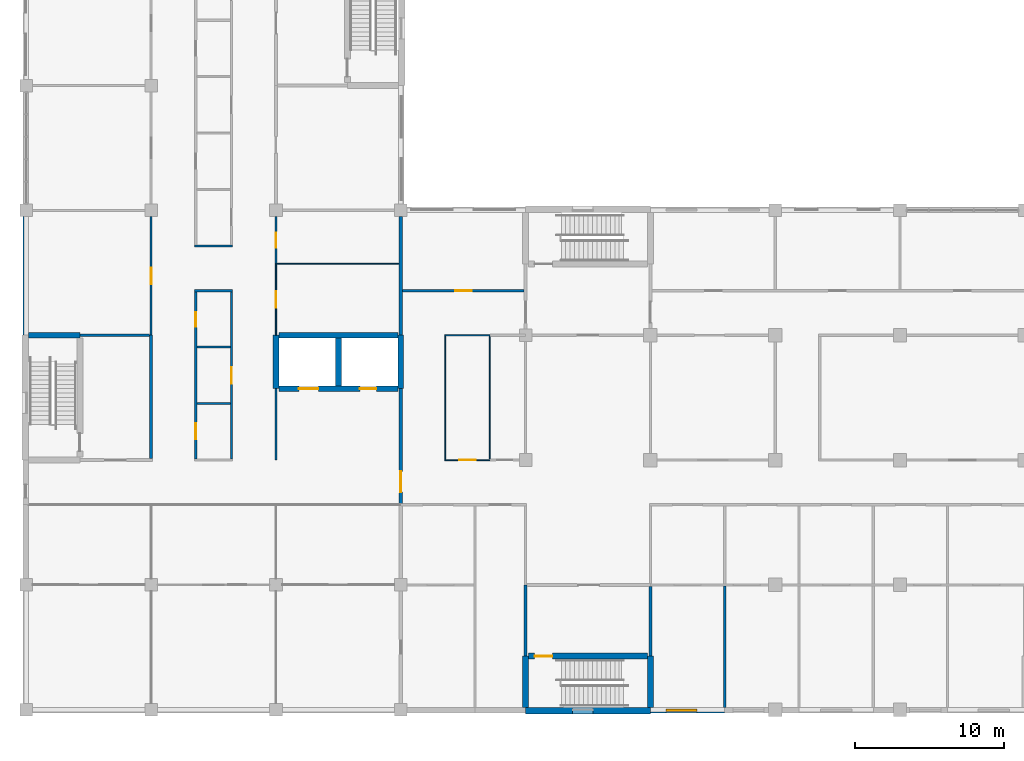
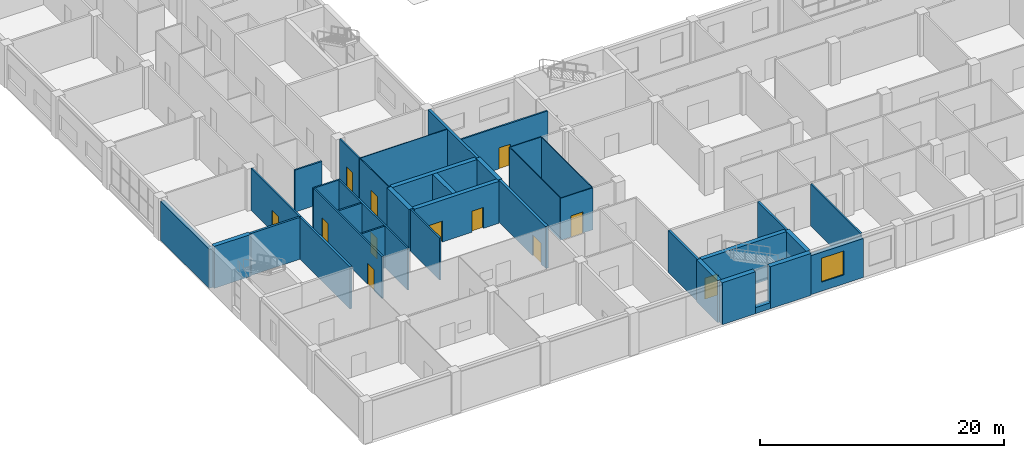
# One storey, part 33 of 66: 37 walls, 12 doors, 1 window, 13 openings.
"""IFC4 building model written with IfcOpenShell, lengths in metres."""

from ifc_helpers import new_model, si_unit, direction, frame, frame_2d, origin, place, context, subcontext, project, spatial, rectangle, extrude, material, layer, layer_set, type_object, element, fill, save


model = new_model("IFC4")

# Units and contexts
model_context = context("Model", 3, precision=1e-05, world=origin(), true_north=direction((0.0, 1.0)))
body_context = subcontext(model_context, "Body", "Model", "MODEL_VIEW")
ifc_project = project(units=[si_unit("LENGTHUNIT", "METRE"), si_unit("AREAUNIT", "SQUARE_METRE"), si_unit("VOLUMEUNIT", "CUBIC_METRE"), si_unit("PLANEANGLEUNIT", "RADIAN"), si_unit("MASSUNIT", "GRAM", prefix="KILO")], contexts=[model_context])

# Site, building, storey
site_placement = place(None, origin())
site = spatial("IfcSite", under=ifc_project, at=site_placement, CompositionType="ELEMENT")
building_placement = place(site_placement, origin())
building = spatial("IfcBuilding", under=site, at=building_placement, Name="Yavir Park General Hospital", CompositionType="ELEMENT")
storey_placement = place(building_placement, frame((0.0, 0.0, 8.39990234375)))
storey = spatial("IfcBuildingStorey", under=building, at=storey_placement, Name="L02", CompositionType="ELEMENT", Elevation=8.39990234375)

# Wall, opening, door
ifc_material_1 = material(Name="Concrete C30/37", Category="concrete")
ifc_layer_1 = layer(ifc_material_1, 0.25)
ifc_layer_set_1 = layer_set([ifc_layer_1], Name="Concrete C30/37")
wall_type_1 = type_object("IfcWallType", Name="Compartment fire wall 250, REI 150", PredefinedType="SOLIDWALL", material=ifc_layer_set_1)
wall_1_placement = place(storey_placement, frame((25.199951171875, 13.875, 0.0), z_axis=(0.0, 0.0, 1.0), x_axis=(0.0, 1.0, 0.0)))
wall_1 = element("IfcWall", 1, at=wall_1_placement, inside=storey, type_object=wall_type_1, Name="FW25 L02-218", PredefinedType="SOLIDWALL", context=body_context, shape_type="SweptSolid", body=[
    extrude(rectangle(XDim=7.72509765625, YDim=0.25, at=frame_2d((3.862548828125, 0.0))), origin(), (0.0, 0.0, 1.0), 4.2001953125),
])
opening_1_placement = place(wall_1_placement, frame((0.762451171875, 0.0, 0.0)))
opening_1 = element("IfcOpeningElement", 2, at=opening_1_placement, cuts=wall_1, Name="Opening L02.D175", PredefinedType="OPENING", context=body_context, shape_type="SweptSolid", body=[
    extrude(rectangle(XDim=1.39990234375, YDim=2.10009765625, at=frame_2d((0.699951171875, 1.050048828125))), frame((0.0, 0.135009765625, 0.0), z_axis=(0.0, -1.0, 0.0), x_axis=(1.0, 0.0, 0.0)), (0.0, 0.0, 1.0), 0.27001953125),
])
ifc_material_2 = material(Name="Steel frame, fire-resisting leaves with vision panels", Category="steel")
door_type_1 = type_object("IfcDoorType", Name="Double fire door with vision panels 1400 x 2100, EI 60", OperationType="DOUBLE_DOOR_SINGLE_SWING", PredefinedType="DOOR", material=ifc_material_2)
door_1_placement = place(opening_1_placement, origin())
door_1 = element("IfcDoor", 3, at=door_1_placement, inside=storey, type_object=door_type_1, Name="L02.D175", OperationType="SINGLE_SWING_LEFT", OverallHeight=2.10009765625, OverallWidth=1.39990234375, PredefinedType="DOOR", context=body_context, shape_type="SweptSolid", body=[
    extrude(rectangle(XDim=1.39990234375, YDim=2.10009765625, at=frame_2d((0.699951171875, 1.050048828125))), frame((0.0, 0.030029296875, 0.0), z_axis=(0.0, -1.0, 0.0), x_axis=(1.0, 0.0, 0.0)), (0.0, 0.0, 1.0), 0.06005859375),
])
fill(opening_1, door_1)

# Wall
wall_2_placement = place(storey_placement, frame((25.199951171875, 25.199951171875, 0.0), z_axis=(0.0, 0.0, 1.0), x_axis=(0.0, 1.0, 0.0)))
element("IfcWall", 4, at=wall_2_placement, inside=storey, type_object=wall_type_1, Name="FW25 L02-220", PredefinedType="SOLIDWALL", context=body_context, shape_type="SweptSolid", body=[
    extrude(rectangle(XDim=7.97509765625, YDim=0.25, at=frame_2d((3.987548828125, 0.0))), origin(), (0.0, 0.0, 1.0), 4.2001953125),
])

# Wall, opening, door
ifc_material_3 = material(Name="Laminate-faced cubicle partition")
ifc_layer_2 = layer(ifc_material_3, 0.074951171875)
ifc_layer_set_2 = layer_set([ifc_layer_2], Name="Laminate-faced cubicle partition")
wall_type_2 = type_object("IfcWallType", Name="Cubicle partition 75", PredefinedType="PARTITIONING", material=ifc_layer_set_2)
wall_3_placement = place(storey_placement, frame((28.16259765625, 16.800048828125, 0.0), z_axis=(0.0, 0.0, 1.0), x_axis=(1.0, 0.0, 0.0)))
wall_3 = element("IfcWall", 5, at=wall_3_placement, inside=storey, type_object=wall_type_2, Name="CP75 L02-037", PredefinedType="PARTITIONING", context=body_context, shape_type="SweptSolid", body=[
    extrude(rectangle(XDim=3.037353515625, YDim=0.074951171875, at=frame_2d((1.5185546875, 0.0))), origin(), (0.0, 0.0, 1.0), 4.2001953125),
])
opening_2_placement = place(wall_3_placement, frame((0.987548828125, 0.0, 0.0)))
opening_2 = element("IfcOpeningElement", 6, at=opening_2_placement, cuts=wall_3, Name="Opening L02.D054", PredefinedType="OPENING", context=body_context, shape_type="SweptSolid", body=[
    extrude(rectangle(XDim=1.10009765625, YDim=2.10009765625, at=frame_2d((0.550048828125, 1.050048828125))), frame((0.0, 0.04736328125, 0.0), z_axis=(0.0, -1.0, 0.0), x_axis=(1.0, 0.0, 0.0)), (0.0, 0.0, 1.0), 0.094970703125),
])
ifc_material_4 = material(Name="Hollow metal frame, solid-core timber leaf", Category="wood")
door_type_2 = type_object("IfcDoorType", Name="Single swing door 1100 x 2100", OperationType="SINGLE_SWING_LEFT", PredefinedType="DOOR", material=ifc_material_4)
door_2_placement = place(opening_2_placement, origin())
door_2 = element("IfcDoor", 7, at=door_2_placement, inside=storey, type_object=door_type_2, Name="L02.D054", OperationType="SINGLE_SWING_RIGHT", OverallHeight=2.10009765625, OverallWidth=1.10009765625, PredefinedType="DOOR", context=body_context, shape_type="SweptSolid", body=[
    extrude(rectangle(XDim=1.10009765625, YDim=2.10009765625, at=frame_2d((0.550048828125, 1.050048828125))), frame((0.0, 0.02490234375, 0.0), z_axis=(0.0, -1.0, 0.0), x_axis=(1.0, 0.0, 0.0)), (0.0, 0.0, 1.0), 0.050048828125),
])
fill(opening_2, door_2)

# Walls
wall_4_placement = place(storey_placement, frame((28.16259765625, 25.199951171875, 0.0), z_axis=(0.0, 0.0, 1.0), x_axis=(1.0, 0.0, 0.0)))
element("IfcWall", 8, at=wall_4_placement, inside=storey, type_object=wall_type_2, Name="CP75 L02-057", PredefinedType="PARTITIONING", context=body_context, shape_type="SweptSolid", body=[
    extrude(rectangle(XDim=3.037353515625, YDim=0.074951171875, at=frame_2d((1.5185546875, 0.0))), origin(), (0.0, 0.0, 1.0), 4.2001953125),
])
wall_5_placement = place(storey_placement, frame((16.875, 30.0, 0.0), z_axis=(0.0, 0.0, 1.0), x_axis=(1.0, 0.0, 0.0)))
element("IfcWall", 9, at=wall_5_placement, inside=storey, type_object=wall_type_2, Name="CP75 L02-078", PredefinedType="PARTITIONING", context=body_context, shape_type="SweptSolid", body=[
    extrude(rectangle(XDim=8.199951171875, YDim=0.074951171875, at=frame_2d((4.10009765625, 0.0))), origin(), (0.0, 0.0, 1.0), 4.2001953125),
])

# Wall, opening, door
wall_6_placement = place(storey_placement, frame((16.800048828125, 25.199951171875, 0.0), z_axis=(0.0, 0.0, 1.0), x_axis=(0.0, 1.0, 0.0)))
wall_6 = element("IfcWall", 10, at=wall_6_placement, inside=storey, type_object=wall_type_2, Name="CP75 L02-196", PredefinedType="PARTITIONING", context=body_context, shape_type="SweptSolid", body=[
    extrude(rectangle(XDim=4.800048828125, YDim=0.074951171875, at=frame_2d((2.39990234375, 0.0))), origin(), (0.0, 0.0, 1.0), 4.2001953125),
])
opening_3_placement = place(wall_6_placement, frame((1.85009765625, 0.0, 0.0)))
opening_3 = element("IfcOpeningElement", 11, at=opening_3_placement, cuts=wall_6, Name="Opening L02.D154", PredefinedType="OPENING", context=body_context, shape_type="SweptSolid", body=[
    extrude(rectangle(XDim=1.10009765625, YDim=2.10009765625, at=frame_2d((0.550048828125, 1.050048828125))), frame((0.0, 0.04736328125, 0.0), z_axis=(0.0, -1.0, 0.0), x_axis=(1.0, 0.0, 0.0)), (0.0, 0.0, 1.0), 0.094970703125),
])
door_3_placement = place(opening_3_placement, origin())
door_3 = element("IfcDoor", 12, at=door_3_placement, inside=storey, type_object=door_type_2, Name="L02.D154", OperationType="SINGLE_SWING_LEFT", OverallHeight=2.10009765625, OverallWidth=1.10009765625, PredefinedType="DOOR", context=body_context, shape_type="SweptSolid", body=[
    extrude(rectangle(XDim=1.10009765625, YDim=2.10009765625, at=frame_2d((0.550048828125, 1.050048828125))), frame((0.0, 0.02490234375, 0.0), z_axis=(0.0, -1.0, 0.0), x_axis=(1.0, 0.0, 0.0)), (0.0, 0.0, 1.0), 0.050048828125),
])
fill(opening_3, door_3)

# Walls
wall_7_placement = place(storey_placement, frame((28.199951171875, 16.83740234375, 0.0), z_axis=(0.0, 0.0, 1.0), x_axis=(0.0, 1.0, 0.0)))
element("IfcWall", 13, at=wall_7_placement, inside=storey, type_object=wall_type_2, Name="CP75 L02-221", PredefinedType="PARTITIONING", context=body_context, shape_type="SweptSolid", body=[
    extrude(rectangle(XDim=8.3251953125, YDim=0.074951171875, at=frame_2d((4.16259765625, 0.0))), origin(), (0.0, 0.0, 1.0), 4.2001953125),
])
wall_8_placement = place(storey_placement, frame((31.199951171875, 16.875, 0.0), z_axis=(0.0, 0.0, 1.0), x_axis=(0.0, 1.0, 0.0)))
element("IfcWall", 14, at=wall_8_placement, inside=storey, type_object=wall_type_2, Name="CP75 L02-223", PredefinedType="PARTITIONING", context=body_context, shape_type="SweptSolid", body=[
    extrude(rectangle(XDim=8.25, YDim=0.074951171875, at=frame_2d((4.125, 0.0))), origin(), (0.0, 0.0, 1.0), 4.2001953125),
])
ifc_material_5 = material(Name="Double gypsum board fire partition on steel studs", Category="steel")
ifc_layer_3 = layer(ifc_material_5, 0.199951171875)
ifc_layer_set_3 = layer_set([ifc_layer_3], Name="Double gypsum board fire partition on steel studs")
wall_type_3 = type_object("IfcWallType", Name="Fire-rated partition 200, EI 60", PredefinedType="PARTITIONING", material=ifc_layer_set_3)
wall_9_placement = place(storey_placement, frame((3.60009765625, 25.199951171875, 0.0), z_axis=(0.0, 0.0, 1.0), x_axis=(1.0, 0.0, 0.0)))
element("IfcWall", 15, at=wall_9_placement, inside=storey, type_object=wall_type_3, Name="FP20 L02-055", PredefinedType="PARTITIONING", context=body_context, shape_type="SweptSolid", body=[
    extrude(rectangle(XDim=4.699951171875, YDim=0.199951171875, at=frame_2d((2.35009765625, 0.0))), origin(), (0.0, 0.0, 1.0), 4.2001953125),
])
wall_10_placement = place(storey_placement, frame((8.39990234375, 16.89990234375, 0.0), z_axis=(0.0, 0.0, 1.0), x_axis=(0.0, 1.0, 0.0)))
element("IfcWall", 16, at=wall_10_placement, inside=storey, type_object=wall_type_3, Name="FP20 L02-167", PredefinedType="PARTITIONING", context=body_context, shape_type="SweptSolid", body=[
    extrude(rectangle(XDim=8.300048828125, YDim=0.199951171875, at=frame_2d((4.14990234375, 0.0))), origin(), (0.0, 0.0, 1.0), 4.2001953125),
])
wall_11_placement = place(storey_placement, frame((33.60009765625, 3.60009765625, 0.0), z_axis=(0.0, 0.0, 1.0), x_axis=(0.0, 1.0, 0.0)))
element("IfcWall", 17, at=wall_11_placement, inside=storey, type_object=wall_type_3, Name="FP20 L02-225", PredefinedType="PARTITIONING", context=body_context, shape_type="SweptSolid", body=[
    extrude(rectangle(XDim=4.7998046875, YDim=0.199951171875, at=frame_2d((2.39990234375, 0.0))), origin(), (0.0, 0.0, 1.0), 4.2001953125),
])
wall_12_placement = place(storey_placement, frame((42.0, 3.60009765625, 0.0), z_axis=(0.0, 0.0, 1.0), x_axis=(0.0, 1.0, 0.0)))
element("IfcWall", 18, at=wall_12_placement, inside=storey, type_object=wall_type_3, Name="FP20 L02-231", PredefinedType="PARTITIONING", context=body_context, shape_type="SweptSolid", body=[
    extrude(rectangle(XDim=4.699951171875, YDim=0.199951171875, at=frame_2d((2.35009765625, 0.0))), origin(), (0.0, 0.0, 1.0), 4.2001953125),
])
ifc_material_6 = material(Name="Gypsum board partition on steel studs", Category="steel")
ifc_layer_4 = layer(ifc_material_6, 0.14990234375)
ifc_layer_set_4 = layer_set([ifc_layer_4], Name="Gypsum board partition on steel studs")
wall_type_4 = type_object("IfcWallType", Name="Gypsum board partition 150", PredefinedType="PARTITIONING", material=ifc_layer_set_4)
for number, where, z_axis, x_axis, name in (
    (19, (11.47509765625, 20.60009765625, 0.0), (0.0, 0.0, 1.0), (1.0, 0.0, 0.0), "P15 L02-049"),
    (20, (11.47509765625, 24.39990234375, 0.0), (0.0, 0.0, 1.0), (1.0, 0.0, 0.0), "P15 L02-053"),
):
    element("IfcWall", number, at=place(storey_placement, frame(where, z_axis=z_axis, x_axis=x_axis)), inside=storey, type_object=wall_type_4, Name=name, PredefinedType="PARTITIONING", context=body_context, shape_type="SweptSolid", body=[
        extrude(rectangle(XDim=2.25, YDim=0.14990234375, at=frame_2d((1.125, 0.0))), origin(), (0.0, 0.0, 1.0), 4.2001953125),
    ])
wall_13_placement = place(storey_placement, frame((11.324951171875, 28.199951171875, 0.0), z_axis=(0.0, 0.0, 1.0), x_axis=(1.0, 0.0, 0.0)))
element("IfcWall", 21, at=wall_13_placement, inside=storey, type_object=wall_type_4, Name="P15 L02-072", PredefinedType="PARTITIONING", context=body_context, shape_type="SweptSolid", body=[
    extrude(rectangle(XDim=2.550048828125, YDim=0.14990234375, at=frame_2d((1.27490234375, 0.0))), origin(), (0.0, 0.0, 1.0), 4.2001953125),
])

# Wall, opening, door
wall_14_placement = place(storey_placement, frame((25.324951171875, 28.199951171875, 0.0), z_axis=(0.0, 0.0, 1.0), x_axis=(1.0, 0.0, 0.0)))
wall_14 = element("IfcWall", 22, at=wall_14_placement, inside=storey, type_object=wall_type_4, Name="P15 L02-073", PredefinedType="PARTITIONING", context=body_context, shape_type="SweptSolid", body=[
    extrude(rectangle(XDim=8.175048828125, YDim=0.14990234375, at=frame_2d((4.08740234375, 0.0))), origin(), (0.0, 0.0, 1.0), 4.2001953125),
])
opening_4_placement = place(wall_14_placement, frame((3.53759765625, 0.0, 0.0)))
opening_4 = element("IfcOpeningElement", 23, at=opening_4_placement, cuts=wall_14, Name="Opening L02.D080", PredefinedType="OPENING", context=body_context, shape_type="SweptSolid", body=[
    extrude(rectangle(XDim=1.10009765625, YDim=2.10009765625, at=frame_2d((0.550048828125, 1.050048828125))), frame((0.0, 0.0849609375, 0.0), z_axis=(0.0, -1.0, 0.0), x_axis=(1.0, 0.0, 0.0)), (0.0, 0.0, 1.0), 0.169921875),
])
door_4_placement = place(opening_4_placement, origin())
door_4 = element("IfcDoor", 24, at=door_4_placement, inside=storey, type_object=door_type_2, Name="L02.D080", OperationType="SINGLE_SWING_RIGHT", OverallHeight=2.10009765625, OverallWidth=1.10009765625, PredefinedType="DOOR", context=body_context, shape_type="SweptSolid", body=[
    extrude(rectangle(XDim=1.10009765625, YDim=2.10009765625, at=frame_2d((0.550048828125, 1.050048828125))), frame((0.0, 0.02490234375, 0.0), z_axis=(0.0, -1.0, 0.0), x_axis=(1.0, 0.0, 0.0)), (0.0, 0.0, 1.0), 0.050048828125),
])
fill(opening_4, door_4)

# Wall
wall_15_placement = place(storey_placement, frame((11.324951171875, 31.199951171875, 0.0), z_axis=(0.0, 0.0, 1.0), x_axis=(1.0, 0.0, 0.0)))
element("IfcWall", 25, at=wall_15_placement, inside=storey, type_object=wall_type_4, Name="P15 L02-081", PredefinedType="PARTITIONING", context=body_context, shape_type="SweptSolid", body=[
    extrude(rectangle(XDim=2.550048828125, YDim=0.14990234375, at=frame_2d((1.27490234375, 0.0))), origin(), (0.0, 0.0, 1.0), 4.2001953125),
])

# Wall, opening, door
wall_16_placement = place(storey_placement, frame((8.39990234375, 25.199951171875, 0.0), z_axis=(0.0, 0.0, 1.0), x_axis=(0.0, 1.0, 0.0)))
wall_16 = element("IfcWall", 26, at=wall_16_placement, inside=storey, type_object=wall_type_4, Name="P15 L02-168", PredefinedType="PARTITIONING", context=body_context, shape_type="SweptSolid", body=[
    extrude(rectangle(XDim=7.97509765625, YDim=0.14990234375, at=frame_2d((3.987548828125, 0.0))), origin(), (0.0, 0.0, 1.0), 4.2001953125),
])
opening_5_placement = place(wall_16_placement, frame((3.4375, 0.0, 0.0)))
opening_5 = element("IfcOpeningElement", 27, at=opening_5_placement, cuts=wall_16, Name="Opening L02.D118", PredefinedType="OPENING", context=body_context, shape_type="SweptSolid", body=[
    extrude(rectangle(XDim=1.10009765625, YDim=2.10009765625, at=frame_2d((0.550048828125, 1.050048828125))), frame((0.0, 0.0849609375, 0.0), z_axis=(0.0, -1.0, 0.0), x_axis=(1.0, 0.0, 0.0)), (0.0, 0.0, 1.0), 0.169921875),
])
door_5_placement = place(opening_5_placement, origin())
door_5 = element("IfcDoor", 28, at=door_5_placement, inside=storey, type_object=door_type_2, Name="L02.D118", OperationType="SINGLE_SWING_RIGHT", OverallHeight=2.10009765625, OverallWidth=1.10009765625, PredefinedType="DOOR", context=body_context, shape_type="SweptSolid", body=[
    extrude(rectangle(XDim=1.10009765625, YDim=2.10009765625, at=frame_2d((0.550048828125, 1.050048828125))), frame((0.0, 0.02490234375, 0.0), z_axis=(0.0, -1.0, 0.0), x_axis=(1.0, 0.0, 0.0)), (0.0, 0.0, 1.0), 0.050048828125),
])
fill(opening_5, door_5)

# Wall, openings, doors
wall_17_placement = place(storey_placement, frame((11.39990234375, 16.875, 0.0), z_axis=(0.0, 0.0, 1.0), x_axis=(0.0, 1.0, 0.0)))
wall_17 = element("IfcWall", 29, at=wall_17_placement, inside=storey, type_object=wall_type_4, Name="P15 L02-178", PredefinedType="PARTITIONING", context=body_context, shape_type="SweptSolid", body=[
    extrude(rectangle(XDim=11.25, YDim=0.14990234375, at=frame_2d((5.625, 0.0))), origin(), (0.0, 0.0, 1.0), 4.2001953125),
])
opening_6_placement = place(wall_17_placement, frame((1.3125, 0.0, 0.0)))
opening_6 = element("IfcOpeningElement", 30, at=opening_6_placement, cuts=wall_17, Name="Opening L02.D131", PredefinedType="OPENING", context=body_context, shape_type="SweptSolid", body=[
    extrude(rectangle(XDim=1.10009765625, YDim=2.10009765625, at=frame_2d((0.550048828125, 1.050048828125))), frame((0.0, 0.0849609375, 0.0), z_axis=(0.0, -1.0, 0.0), x_axis=(1.0, 0.0, 0.0)), (0.0, 0.0, 1.0), 0.169921875),
])
opening_7_placement = place(wall_17_placement, frame((8.887451171875, 0.0, 0.0)))
opening_7 = element("IfcOpeningElement", 31, at=opening_7_placement, cuts=wall_17, Name="Opening L02.D132", PredefinedType="OPENING", context=body_context, shape_type="SweptSolid", body=[
    extrude(rectangle(XDim=1.0, YDim=2.10009765625, at=frame_2d((0.5, 1.050048828125))), frame((0.0, 0.0849609375, 0.0), z_axis=(0.0, -1.0, 0.0), x_axis=(1.0, 0.0, 0.0)), (0.0, 0.0, 1.0), 0.169921875),
])
ifc_material_7 = material(Name="Hollow metal frame, solid-core timber leaf", Category="wood")
door_type_3 = type_object("IfcDoorType", Name="Single swing door 1000 x 2100", OperationType="SINGLE_SWING_LEFT", PredefinedType="DOOR", material=ifc_material_7)
door_6_placement = place(opening_7_placement, origin())
door_6 = element("IfcDoor", 32, at=door_6_placement, inside=storey, type_object=door_type_3, Name="L02.D132", OperationType="SINGLE_SWING_LEFT", OverallHeight=2.10009765625, OverallWidth=1.0, PredefinedType="DOOR", context=body_context, shape_type="SweptSolid", body=[
    extrude(rectangle(XDim=1.0, YDim=2.10009765625, at=frame_2d((0.5, 1.050048828125))), frame((0.0, 0.02490234375, 0.0), z_axis=(0.0, -1.0, 0.0), x_axis=(1.0, 0.0, 0.0)), (0.0, 0.0, 1.0), 0.050048828125),
])
fill(opening_7, door_6)
door_7_placement = place(opening_6_placement, origin())
door_7 = element("IfcDoor", 33, at=door_7_placement, inside=storey, type_object=door_type_2, Name="L02.D131", OperationType="SINGLE_SWING_RIGHT", OverallHeight=2.10009765625, OverallWidth=1.10009765625, PredefinedType="DOOR", context=body_context, shape_type="SweptSolid", body=[
    extrude(rectangle(XDim=1.10009765625, YDim=2.10009765625, at=frame_2d((0.550048828125, 1.050048828125))), frame((0.0, 0.02490234375, 0.0), z_axis=(0.0, -1.0, 0.0), x_axis=(1.0, 0.0, 0.0)), (0.0, 0.0, 1.0), 0.050048828125),
])
fill(opening_6, door_7)

# Wall, opening, door
wall_18_placement = place(storey_placement, frame((13.800048828125, 16.875, 0.0), z_axis=(0.0, 0.0, 1.0), x_axis=(0.0, 1.0, 0.0)))
wall_18 = element("IfcWall", 34, at=wall_18_placement, inside=storey, type_object=wall_type_4, Name="P15 L02-185", PredefinedType="PARTITIONING", context=body_context, shape_type="SweptSolid", body=[
    extrude(rectangle(XDim=11.25, YDim=0.14990234375, at=frame_2d((5.625, 0.0))), origin(), (0.0, 0.0, 1.0), 4.2001953125),
])
opening_8_placement = place(wall_18_placement, frame((5.074951171875, 0.0, 0.0)))
opening_8 = element("IfcOpeningElement", 35, at=opening_8_placement, cuts=wall_18, Name="Opening L02.D142", PredefinedType="OPENING", context=body_context, shape_type="SweptSolid", body=[
    extrude(rectangle(XDim=1.10009765625, YDim=2.10009765625, at=frame_2d((0.550048828125, 1.050048828125))), frame((0.0, 0.0849609375, 0.0), z_axis=(0.0, -1.0, 0.0), x_axis=(1.0, 0.0, 0.0)), (0.0, 0.0, 1.0), 0.169921875),
])
door_8_placement = place(opening_8_placement, origin())
door_8 = element("IfcDoor", 36, at=door_8_placement, inside=storey, type_object=door_type_2, Name="L02.D142", OperationType="SINGLE_SWING_RIGHT", OverallHeight=2.10009765625, OverallWidth=1.10009765625, PredefinedType="DOOR", context=body_context, shape_type="SweptSolid", body=[
    extrude(rectangle(XDim=1.10009765625, YDim=2.10009765625, at=frame_2d((0.550048828125, 1.050048828125))), frame((0.0, 0.02490234375, 0.0), z_axis=(0.0, -1.0, 0.0), x_axis=(1.0, 0.0, 0.0)), (0.0, 0.0, 1.0), 0.050048828125),
])
fill(opening_8, door_8)

# Wall
wall_19_placement = place(storey_placement, frame((16.800048828125, 16.800048828125, 0.0), z_axis=(0.0, 0.0, 1.0), x_axis=(0.0, 1.0, 0.0)))
element("IfcWall", 37, at=wall_19_placement, inside=storey, type_object=wall_type_4, Name="P15 L02-194", PredefinedType="PARTITIONING", context=body_context, shape_type="SweptSolid", body=[
    extrude(rectangle(XDim=4.800048828125, YDim=0.14990234375, at=frame_2d((2.39990234375, 0.0))), origin(), (0.0, 0.0, 1.0), 4.2001953125),
])

# Wall, opening, door
wall_20_placement = place(storey_placement, frame((16.800048828125, 30.0, 0.0), z_axis=(0.0, 0.0, 1.0), x_axis=(0.0, 1.0, 0.0)))
wall_20 = element("IfcWall", 38, at=wall_20_placement, inside=storey, type_object=wall_type_4, Name="P15 L02-197", PredefinedType="PARTITIONING", context=body_context, shape_type="SweptSolid", body=[
    extrude(rectangle(XDim=3.175048828125, YDim=0.14990234375, at=frame_2d((1.58740234375, 0.0))), origin(), (0.0, 0.0, 1.0), 4.2001953125),
])
opening_9_placement = place(wall_20_placement, frame((1.08740234375, 0.0, 0.0)))
opening_9 = element("IfcOpeningElement", 39, at=opening_9_placement, cuts=wall_20, Name="Opening L02.D155", PredefinedType="OPENING", context=body_context, shape_type="SweptSolid", body=[
    extrude(rectangle(XDim=1.0, YDim=2.10009765625, at=frame_2d((0.5, 1.050048828125))), frame((0.0, 0.0849609375, 0.0), z_axis=(0.0, -1.0, 0.0), x_axis=(1.0, 0.0, 0.0)), (0.0, 0.0, 1.0), 0.169921875),
])
door_9_placement = place(opening_9_placement, origin())
door_9 = element("IfcDoor", 40, at=door_9_placement, inside=storey, type_object=door_type_3, Name="L02.D155", OperationType="SINGLE_SWING_LEFT", OverallHeight=2.10009765625, OverallWidth=1.0, PredefinedType="DOOR", context=body_context, shape_type="SweptSolid", body=[
    extrude(rectangle(XDim=1.0, YDim=2.10009765625, at=frame_2d((0.5, 1.050048828125))), frame((0.0, 0.02490234375, 0.0), z_axis=(0.0, -1.0, 0.0), x_axis=(1.0, 0.0, 0.0)), (0.0, 0.0, 1.0), 0.050048828125),
])
fill(opening_9, door_9)

# Wall
wall_21_placement = place(storey_placement, frame((47.0, 0.14990234375, 0.0), z_axis=(0.0, 0.0, 1.0), x_axis=(0.0, 1.0, 0.0)))
element("IfcWall", 41, at=wall_21_placement, inside=storey, type_object=wall_type_4, Name="P15 L02-236", PredefinedType="PARTITIONING", context=body_context, shape_type="SweptSolid", body=[
    extrude(rectangle(XDim=8.175048828125, YDim=0.14990234375, at=frame_2d((4.08740234375, 0.0))), origin(), (0.0, 0.0, 1.0), 4.2001953125),
])

# Wall, opening, window
ifc_material_8 = material(Name="Autoclaved aerated block, 150 mm mineral wool and sand-coloured mineral render")
ifc_layer_5 = layer(ifc_material_8, 0.375)
ifc_layer_set_5 = layer_set([ifc_layer_5], Name="Autoclaved aerated block, 150 mm mineral wool and sand-coloured mineral render")
wall_type_5 = type_object("IfcWallType", Name="Mineral render clinical wall 375, E 30", PredefinedType="SOLIDWALL", material=ifc_layer_set_5)
wall_22_placement = place(storey_placement, frame((42.0, -0.03759765625, 0.0), z_axis=(0.0, 0.0, 1.0), x_axis=(1.0, 0.0, 0.0)))
wall_22 = element("IfcWall", 42, at=wall_22_placement, inside=storey, type_object=wall_type_5, Name="XW1 L02-009", PredefinedType="SOLIDWALL", context=body_context, shape_type="SweptSolid", body=[
    extrude(rectangle(XDim=5.0, YDim=0.375, at=frame_2d((2.5, 0.0))), origin(), (0.0, 0.0, 1.0), 3.900146484375),
])
opening_10_placement = place(wall_22_placement, frame((1.050048828125, 0.0, 0.89990234375)))
opening_10 = element("IfcOpeningElement", 43, at=opening_10_placement, cuts=wall_22, Name="Opening LVO2", PredefinedType="OPENING", context=body_context, shape_type="SweptSolid", body=[
    extrude(rectangle(XDim=2.10009765625, YDim=2.39990234375, at=frame_2d((1.050048828125, 1.199951171875))), frame((0.0, 0.197509765625, 0.0), z_axis=(0.0, -1.0, 0.0), x_axis=(1.0, 0.0, 0.0)), (0.0, 0.0, 1.0), 0.39501953125),
])
ifc_material_9 = material(Name="Anodised aluminium louvre blades in a deep frame", Category="aluminium")
window_type = type_object("IfcWindowType", Name="Tall fixed louvre panel with insulated back panel 2100 x 2400", PartitioningType="SINGLE_PANEL", PredefinedType="WINDOW", material=ifc_material_9)
window_placement = place(opening_10_placement, origin())
window = element("IfcWindow", 44, at=window_placement, inside=storey, type_object=window_type, Name="LVO2 L02-001", OverallHeight=2.39990234375, OverallWidth=2.10009765625, PartitioningType="SINGLE_PANEL", PredefinedType="WINDOW", context=body_context, shape_type="SweptSolid", body=[
    extrude(rectangle(XDim=2.10009765625, YDim=2.39990234375, at=frame_2d((1.050048828125, 1.199951171875))), frame((0.0, 0.074951171875, 0.0), z_axis=(0.0, -1.0, 0.0), x_axis=(1.0, 0.0, 0.0)), (0.0, 0.0, 1.0), 0.14990234375),
])
fill(opening_10, window)

# Wall
wall_23_placement = place(storey_placement, frame((-0.03759765625, 25.199951171875, 0.0), z_axis=(0.0, 0.0, 1.0), x_axis=(0.0, 1.0, 0.0)))
element("IfcWall", 45, at=wall_23_placement, inside=storey, type_object=wall_type_5, Name="XW1 L02-117", PredefinedType="SOLIDWALL", context=body_context, shape_type="SweptSolid", body=[
    extrude(rectangle(XDim=7.97509765625, YDim=0.375, at=frame_2d((3.987548828125, 0.0))), origin(), (0.0, 0.0, 1.0), 3.900146484375),
])

# Wall, opening, door
ifc_material_10 = material(Name="Concrete C35/45", Category="concrete")
ifc_layer_6 = layer(ifc_material_10, 0.39990234375)
ifc_layer_set_6 = layer_set([ifc_layer_6], Name="Concrete C35/45")
wall_type_6 = type_object("IfcWallType", Name="Reinforced concrete core wall 400, REI 150", PredefinedType="SHEAR", material=ifc_layer_set_6)
wall_24_placement = place(storey_placement, frame((33.800048828125, 3.60009765625, 0.0), z_axis=(0.0, 0.0, 1.0), x_axis=(1.0, 0.0, 0.0)))
wall_24 = element("IfcWall", 46, at=wall_24_placement, inside=storey, type_object=wall_type_6, Name="CW40 L02-001", PredefinedType="SHEAR", context=body_context, shape_type="SweptSolid", body=[
    extrude(rectangle(XDim=8.0, YDim=0.39990234375, at=frame_2d((4.0, 0.0))), origin(), (0.0, 0.0, 1.0), 4.2001953125),
])
opening_11_placement = place(wall_24_placement, frame((0.39990234375, 0.0, 0.0)))
opening_11 = element("IfcOpeningElement", 47, at=opening_11_placement, cuts=wall_24, Name="Opening L02.D001", PredefinedType="OPENING", context=body_context, shape_type="SweptSolid", body=[
    extrude(rectangle(XDim=1.199951171875, YDim=2.10009765625, at=frame_2d((0.60009765625, 1.050048828125))), frame((0.0, 0.2099609375, 0.0), z_axis=(0.0, -1.0, 0.0), x_axis=(1.0, 0.0, 0.0)), (0.0, 0.0, 1.0), 0.419921875),
])
ifc_material_11 = material(Name="Steel frame, fire-resisting timber leaf", Category="steel")
door_type_4 = type_object("IfcDoorType", Name="Fire door 1200 x 2100, EI 60", OperationType="SINGLE_SWING_LEFT", PredefinedType="DOOR", material=ifc_material_11)
door_10_placement = place(opening_11_placement, origin())
door_10 = element("IfcDoor", 48, at=door_10_placement, inside=storey, type_object=door_type_4, Name="L02.D001", OperationType="SINGLE_SWING_LEFT", OverallHeight=2.10009765625, OverallWidth=1.199951171875, PredefinedType="DOOR", context=body_context, shape_type="SweptSolid", body=[
    extrude(rectangle(XDim=1.199951171875, YDim=2.10009765625, at=frame_2d((0.60009765625, 1.050048828125))), frame((0.0, 0.02490234375, 0.0), z_axis=(0.0, -1.0, 0.0), x_axis=(1.0, 0.0, 0.0)), (0.0, 0.0, 1.0), 0.050048828125),
])
fill(opening_11, door_10)

# Wall, openings, doors
wall_25_placement = place(storey_placement, frame((17.0, 21.60009765625, 0.0), z_axis=(0.0, 0.0, 1.0), x_axis=(1.0, 0.0, 0.0)))
wall_25 = element("IfcWall", 49, at=wall_25_placement, inside=storey, type_object=wall_type_6, Name="CW40 L02-050", PredefinedType="SHEAR", context=body_context, shape_type="SweptSolid", body=[
    extrude(rectangle(XDim=8.0, YDim=0.39990234375, at=frame_2d((4.0, 0.0))), origin(), (0.0, 0.0, 1.0), 4.2001953125),
])
opening_12_placement = place(wall_25_placement, frame((1.35009765625, 0.0, 0.0)))
opening_12 = element("IfcOpeningElement", 50, at=opening_12_placement, cuts=wall_25, Name="Opening L02.D062", PredefinedType="OPENING", context=body_context, shape_type="SweptSolid", body=[
    extrude(rectangle(XDim=1.300048828125, YDim=2.10009765625, at=frame_2d((0.64990234375, 1.050048828125))), frame((0.0, 0.2099609375, 0.0), z_axis=(0.0, -1.0, 0.0), x_axis=(1.0, 0.0, 0.0)), (0.0, 0.0, 1.0), 0.419921875),
])
opening_13_placement = place(wall_25_placement, frame((5.449951171875, 0.0, 0.0)))
opening_13 = element("IfcOpeningElement", 51, at=opening_13_placement, cuts=wall_25, Name="Opening L02.D063", PredefinedType="OPENING", context=body_context, shape_type="SweptSolid", body=[
    extrude(rectangle(XDim=1.10009765625, YDim=2.10009765625, at=frame_2d((0.550048828125, 1.050048828125))), frame((0.0, 0.2099609375, 0.0), z_axis=(0.0, -1.0, 0.0), x_axis=(1.0, 0.0, 0.0)), (0.0, 0.0, 1.0), 0.419921875),
])
ifc_material_12 = material(Name="Stainless steel landing door panels", Category="steel")
door_type_5 = type_object("IfcDoorType", Name="Lift landing door 1100 x 2100, EI 60", OperationType="SLIDING_TO_LEFT", PredefinedType="DOOR", material=ifc_material_12)
door_11_placement = place(opening_13_placement, origin())
door_11 = element("IfcDoor", 52, at=door_11_placement, inside=storey, type_object=door_type_5, Name="L02.D063", OperationType="SLIDING_TO_LEFT", OverallHeight=2.10009765625, OverallWidth=1.10009765625, PredefinedType="DOOR", context=body_context, shape_type="SweptSolid", body=[
    extrude(rectangle(XDim=1.10009765625, YDim=2.10009765625, at=frame_2d((0.550048828125, 1.050048828125))), frame((0.0, 0.02490234375, 0.0), z_axis=(0.0, -1.0, 0.0), x_axis=(1.0, 0.0, 0.0)), (0.0, 0.0, 1.0), 0.050048828125),
])
fill(opening_13, door_11)
ifc_material_13 = material(Name="Stainless steel landing door panels", Category="steel")
door_type_6 = type_object("IfcDoorType", Name="Lift landing door 1300 x 2100, EI 60", OperationType="SLIDING_TO_LEFT", PredefinedType="DOOR", material=ifc_material_13)
door_12_placement = place(opening_12_placement, origin())
door_12 = element("IfcDoor", 53, at=door_12_placement, inside=storey, type_object=door_type_6, Name="L02.D062", OperationType="SLIDING_TO_LEFT", OverallHeight=2.10009765625, OverallWidth=1.300048828125, PredefinedType="DOOR", context=body_context, shape_type="SweptSolid", body=[
    extrude(rectangle(XDim=1.300048828125, YDim=2.10009765625, at=frame_2d((0.64990234375, 1.050048828125))), frame((0.0, 0.02490234375, 0.0), z_axis=(0.0, -1.0, 0.0), x_axis=(1.0, 0.0, 0.0)), (0.0, 0.0, 1.0), 0.050048828125),
])
fill(opening_12, door_12)

# Walls
wall_26_placement = place(storey_placement, frame((0.14990234375, 25.199951171875, 0.0), z_axis=(0.0, 0.0, 1.0), x_axis=(1.0, 0.0, 0.0)))
element("IfcWall", 54, at=wall_26_placement, inside=storey, type_object=wall_type_6, Name="CW40 L02-054", PredefinedType="SHEAR", context=body_context, shape_type="SweptSolid", body=[
    extrude(rectangle(XDim=3.4501953125, YDim=0.39990234375, at=frame_2d((1.72509765625, 0.0))), origin(), (0.0, 0.0, 1.0), 4.2001953125),
])
wall_27_placement = place(storey_placement, frame((17.0, 25.199951171875, 0.0), z_axis=(0.0, 0.0, 1.0), x_axis=(1.0, 0.0, 0.0)))
element("IfcWall", 55, at=wall_27_placement, inside=storey, type_object=wall_type_6, Name="CW40 L02-056", PredefinedType="SHEAR", context=body_context, shape_type="SweptSolid", body=[
    extrude(rectangle(XDim=8.0, YDim=0.39990234375, at=frame_2d((4.0, 0.0))), origin(), (0.0, 0.0, 1.0), 4.2001953125),
])
wall_28_placement = place(storey_placement, frame((16.800048828125, 21.60009765625, 0.0), z_axis=(0.0, 0.0, 1.0), x_axis=(0.0, 1.0, 0.0)))
element("IfcWall", 56, at=wall_28_placement, inside=storey, type_object=wall_type_6, Name="CW40 L02-195", PredefinedType="SHEAR", context=body_context, shape_type="SweptSolid", body=[
    extrude(rectangle(XDim=3.599853515625, YDim=0.39990234375, at=frame_2d((1.7998046875, 0.0))), origin(), (0.0, 0.0, 1.0), 4.2001953125),
])
wall_29_placement = place(storey_placement, frame((21.0, 21.800048828125, 0.0), z_axis=(0.0, 0.0, 1.0), x_axis=(0.0, 1.0, 0.0)))
element("IfcWall", 57, at=wall_29_placement, inside=storey, type_object=wall_type_6, Name="CW40 L02-212", PredefinedType="SHEAR", context=body_context, shape_type="SweptSolid", body=[
    extrude(rectangle(XDim=3.199951171875, YDim=0.39990234375, at=frame_2d((1.60009765625, 0.0))), origin(), (0.0, 0.0, 1.0), 4.2001953125),
])
wall_30_placement = place(storey_placement, frame((25.199951171875, 21.60009765625, 0.0), z_axis=(0.0, 0.0, 1.0), x_axis=(0.0, 1.0, 0.0)))
element("IfcWall", 58, at=wall_30_placement, inside=storey, type_object=wall_type_6, Name="CW40 L02-219", PredefinedType="SHEAR", context=body_context, shape_type="SweptSolid", body=[
    extrude(rectangle(XDim=3.599853515625, YDim=0.39990234375, at=frame_2d((1.7998046875, 0.0))), origin(), (0.0, 0.0, 1.0), 4.2001953125),
])
for number, where, z_axis, x_axis, name in (
    (59, (33.60009765625, 0.14990234375, 0.0), (0.0, 0.0, 1.0), (0.0, 1.0, 0.0), "CW40 L02-224"),
    (60, (42.0, 0.14990234375, 0.0), (0.0, 0.0, 1.0), (0.0, 1.0, 0.0), "CW40 L02-230"),
):
    element("IfcWall", number, at=place(storey_placement, frame(where, z_axis=z_axis, x_axis=x_axis)), inside=storey, type_object=wall_type_6, Name=name, PredefinedType="SHEAR", context=body_context, shape_type="SweptSolid", body=[
        extrude(rectangle(XDim=3.4501953125, YDim=0.39990234375, at=frame_2d((1.72509765625, 0.0))), origin(), (0.0, 0.0, 1.0), 4.2001953125),
    ])
ifc_material_14 = material(Name="Concrete C30/37 precast panel with 150 mm mineral wool insulation", Category="concrete")
ifc_layer_7 = layer(ifc_material_14, 0.449951171875)
ifc_layer_set_7 = layer_set([ifc_layer_7], Name="Concrete C30/37 precast panel with 150 mm mineral wool insulation")
wall_type_7 = type_object("IfcWallType", Name="Stair enclosure wall 450, REI 150", PredefinedType="SOLIDWALL", material=ifc_layer_set_7)
wall_31_placement = place(storey_placement, frame((33.60009765625, -0.074951171875, 0.0), z_axis=(0.0, 0.0, 1.0), x_axis=(1.0, 0.0, 0.0)))
element("IfcWall", 61, at=wall_31_placement, inside=storey, type_object=wall_type_7, Name="XW6 L02-006", PredefinedType="SOLIDWALL", context=body_context, shape_type="SweptSolid", body=[
    extrude(rectangle(XDim=3.14990234375, YDim=0.449951171875, at=frame_2d((1.574951171875, 0.0))), origin(), (0.0, 0.0, 1.0), 4.2001953125),
])
wall_32_placement = place(storey_placement, frame((38.14990234375, -0.074951171875, 0.0), z_axis=(0.0, 0.0, 1.0), x_axis=(1.0, 0.0, 0.0)))
element("IfcWall", 62, at=wall_32_placement, inside=storey, type_object=wall_type_7, Name="XW6 L02-007", PredefinedType="SOLIDWALL", context=body_context, shape_type="SweptSolid", body=[
    extrude(rectangle(XDim=3.85009765625, YDim=0.449951171875, at=frame_2d((1.925048828125, 0.0))), origin(), (0.0, 0.0, 1.0), 4.2001953125),
])
wall_33_placement = place(storey_placement, frame((36.75, -0.074951171875, 0.0), z_axis=(0.0, 0.0, 1.0), x_axis=(1.0, 0.0, 0.0)))
element("IfcWall", 63, at=wall_33_placement, inside=storey, type_object=wall_type_7, Name="XW6 L02-008", PredefinedType="SOLIDWALL", context=body_context, shape_type="SweptSolid", body=[
    extrude(rectangle(XDim=1.39990234375, YDim=0.449951171875, at=frame_2d((0.699951171875, 0.0))), origin(), (0.0, 0.0, 1.0), 0.60009765625),
])

save(model, "model.ifc")
